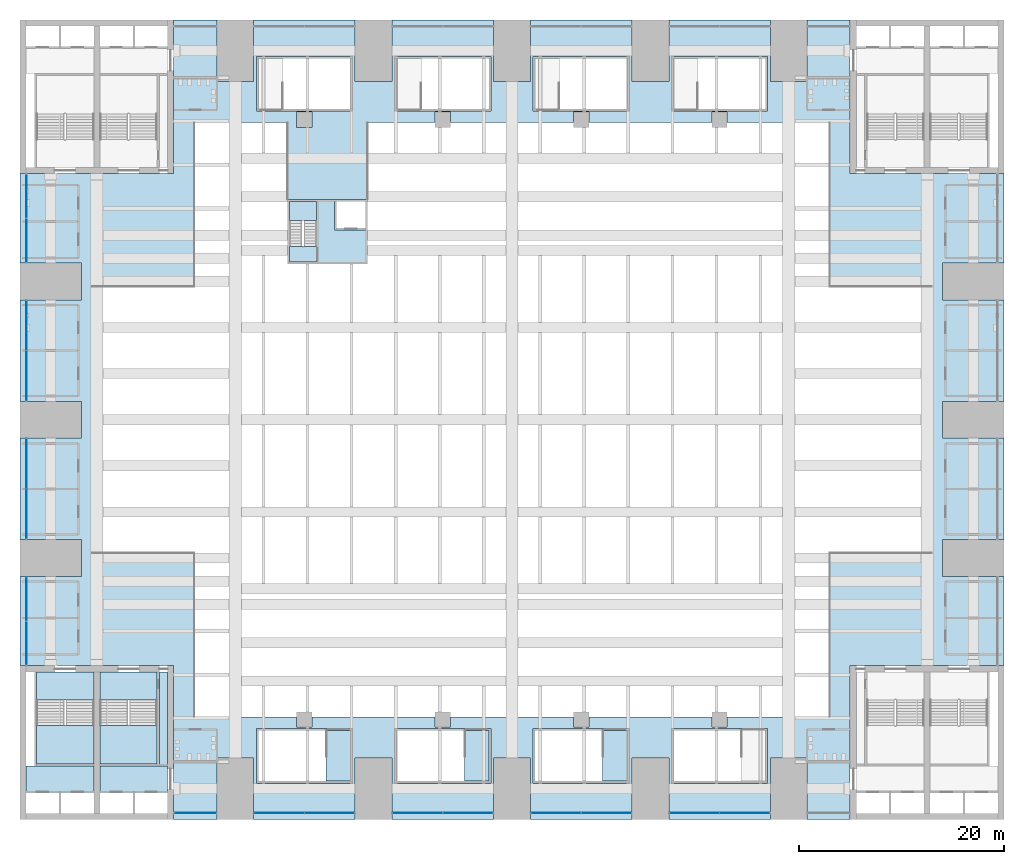
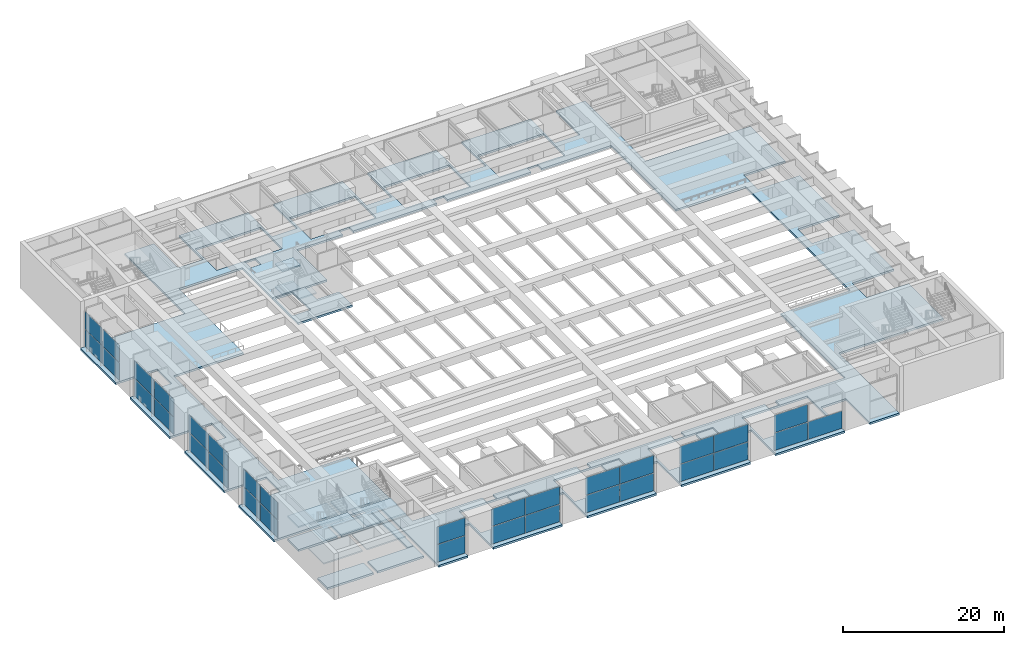
# One storey, part 22 of 45: 33 plates, 19 slabs, 12 elements without a shape of their own.
"""IFC4 building model written with IfcOpenShell, lengths in metres."""

from ifc_helpers import new_model, si_unit, direction, frame, origin, origin_2d, place, context, subcontext, project, spatial, polyline, rectangle, outline, extrude, material, layer, layer_set, type_object, element, aggregate, save


model = new_model("IFC4")

# Units and contexts
model_context = context("Model", 3, precision=1e-05, world=origin(), true_north=direction((0.0, 1.0)))
body_context = subcontext(model_context, "Body", "Model", "MODEL_VIEW")
ifc_project = project(units=[si_unit("LENGTHUNIT", "METRE"), si_unit("AREAUNIT", "SQUARE_METRE"), si_unit("VOLUMEUNIT", "CUBIC_METRE"), si_unit("PLANEANGLEUNIT", "RADIAN"), si_unit("MASSUNIT", "GRAM", prefix="KILO")], contexts=[model_context])

# Site, building, storey
site_placement = place(None, origin())
site = spatial("IfcSite", under=ifc_project, at=site_placement, CompositionType="ELEMENT")
building_placement = place(site_placement, origin())
building = spatial("IfcBuilding", under=site, at=building_placement, Name="Corbelhall Arena Tower", CompositionType="ELEMENT")
storey_placement = place(building_placement, frame((0.0, 0.0, 37.0)))
storey = spatial("IfcBuildingStorey", under=building, at=storey_placement, Name="L05", CompositionType="ELEMENT", Elevation=37.0)

# Stair, slabs
ifc_material_1 = material(Name="Reinforced concrete C40/50", Category="concrete")
stair_type_1 = type_object("IfcStairType", Name="AR-EXIT-STAIR", PredefinedType="HALF_TURN_STAIR", material=ifc_material_1)
stair_1_placement = place(storey_placement, origin())
stair_1 = element("IfcStair", 1, at=stair_1_placement, inside=storey, type_object=stair_type_1, Name="L05 exit stair AS7", PredefinedType="HALF_TURN_STAIR")
ifc_layer_1 = layer(ifc_material_1, 0.199951171875)
ifc_layer_set_1 = layer_set([ifc_layer_1], Name="AR-EXIT-LANDING")
slab_type_1 = type_object("IfcSlabType", Name="AR-EXIT-LANDING", PredefinedType="LANDING", material=ifc_layer_set_1)
slab_1_placement = place(storey_placement, frame((0.0, 0.0, 1.550048828125)))
slab_1 = element("IfcSlab", 2, at=slab_1_placement, type_object=slab_type_1, Name="AS7 landing 1", PredefinedType="LANDING", context=body_context, shape_type="SweptSolid", body=[
    extrude(outline(polyline([(-40.199951171875, -29.840087890625), (-40.199951171875, -33.60009765625), (-34.610107421875, -33.60009765625), (-34.610107421875, -29.840087890625), (-40.199951171875, -29.840087890625)])), origin(), (0.0, 0.0, 1.0), 0.199951171875),
])
slab_2_placement = place(storey_placement, frame((0.0, 0.0, 3.300048828125)))
slab_2 = element("IfcSlab", 3, at=slab_2_placement, type_object=slab_type_1, Name="AS7 landing 2", PredefinedType="LANDING", context=body_context, shape_type="SweptSolid", body=[
    extrude(outline(polyline([(-40.199951171875, -24.60009765625), (-40.199951171875, -27.320068359375), (-34.610107421875, -27.320068359375), (-34.610107421875, -24.60009765625), (-40.199951171875, -24.60009765625)])), origin(), (0.0, 0.0, 1.0), 0.199951171875),
])
slab_3_placement = place(storey_placement, frame((0.0, 0.0, 5.050048828125)))
slab_3 = element("IfcSlab", 4, at=slab_3_placement, type_object=slab_type_1, Name="AS7 landing 3", PredefinedType="LANDING", context=body_context, shape_type="SweptSolid", body=[
    extrude(outline(polyline([(-40.199951171875, -29.840087890625), (-40.199951171875, -33.60009765625), (-34.610107421875, -33.60009765625), (-34.610107421875, -29.840087890625), (-40.199951171875, -29.840087890625)])), origin(), (0.0, 0.0, 1.0), 0.199951171875),
])
aggregate(stair_1, [slab_1, slab_2, slab_3])

stair_2_placement = place(storey_placement, origin())
stair_2 = element("IfcStair", 5, at=stair_2_placement, inside=storey, type_object=stair_type_1, Name="L05 exit stair AS8", PredefinedType="HALF_TURN_STAIR")
slab_4_placement = place(storey_placement, frame((0.0, 0.0, 1.550048828125)))
slab_4 = element("IfcSlab", 6, at=slab_4_placement, type_object=slab_type_1, Name="AS8 landing 1", PredefinedType="LANDING", context=body_context, shape_type="SweptSolid", body=[
    extrude(outline(polyline([(-46.389892578125, -29.840087890625), (-46.389892578125, -33.60009765625), (-40.800048828125, -33.60009765625), (-40.800048828125, -29.840087890625), (-46.389892578125, -29.840087890625)])), origin(), (0.0, 0.0, 1.0), 0.199951171875),
])
slab_5_placement = place(storey_placement, frame((0.0, 0.0, 3.300048828125)))
slab_5 = element("IfcSlab", 7, at=slab_5_placement, type_object=slab_type_1, Name="AS8 landing 2", PredefinedType="LANDING", context=body_context, shape_type="SweptSolid", body=[
    extrude(outline(polyline([(-46.389892578125, -24.60009765625), (-46.389892578125, -27.320068359375), (-40.800048828125, -27.320068359375), (-40.800048828125, -24.60009765625), (-46.389892578125, -24.60009765625)])), origin(), (0.0, 0.0, 1.0), 0.199951171875),
])
slab_6_placement = place(storey_placement, frame((0.0, 0.0, 5.050048828125)))
slab_6 = element("IfcSlab", 8, at=slab_6_placement, type_object=slab_type_1, Name="AS8 landing 3", PredefinedType="LANDING", context=body_context, shape_type="SweptSolid", body=[
    extrude(outline(polyline([(-46.389892578125, -29.840087890625), (-46.389892578125, -33.60009765625), (-40.800048828125, -33.60009765625), (-40.800048828125, -29.840087890625), (-46.389892578125, -29.840087890625)])), origin(), (0.0, 0.0, 1.0), 0.199951171875),
])
aggregate(stair_2, [slab_4, slab_5, slab_6])

# Slabs
ifc_layer_2 = layer(ifc_material_1, 0.300048828125)
ifc_layer_set_2 = layer_set([ifc_layer_2], Name="AR-STAIR-FLOOR")
slab_type_2 = type_object("IfcSlabType", Name="AR-STAIR-FLOOR", PredefinedType="FLOOR", material=ifc_layer_set_2)
slab_7_placement = place(storey_placement, frame((0.0, 0.0, -0.300048828125)))
element("IfcSlab", 9, at=slab_7_placement, inside=storey, type_object=slab_type_2, Name="Stair AS13 floor", PredefinedType="FLOOR", context=body_context, shape_type="SweptSolid", body=[
    extrude(outline(polyline([(-15.75, -30.300048828125), (-15.75, -35.25), (-18.153076171875, -35.25), (-18.153076171875, -30.300048828125), (-15.75, -30.300048828125)])), origin(), (0.0, 0.0, 1.0), 0.300048828125),
])
slab_8_placement = place(storey_placement, frame((0.0, 0.0, -0.300048828125)))
element("IfcSlab", 10, at=slab_8_placement, inside=storey, type_object=slab_type_2, Name="Stair AS14 floor", PredefinedType="FLOOR", context=body_context, shape_type="SweptSolid", body=[
    extrude(outline(polyline([(-2.25, -30.300048828125), (-2.25, -35.25), (-4.653076171875, -35.25), (-4.653076171875, -30.300048828125), (-2.25, -30.300048828125)])), origin(), (0.0, 0.0, 1.0), 0.300048828125),
])
slab_9_placement = place(storey_placement, frame((0.0, 0.0, -0.300048828125)))
element("IfcSlab", 11, at=slab_9_placement, inside=storey, type_object=slab_type_2, Name="Stair AS15 floor", PredefinedType="FLOOR", context=body_context, shape_type="SweptSolid", body=[
    extrude(outline(polyline([(11.25, -30.300048828125), (11.25, -35.25), (8.846923828125, -35.25), (8.846923828125, -30.300048828125), (11.25, -30.300048828125)])), origin(), (0.0, 0.0, 1.0), 0.300048828125),
])
slab_10_placement = place(storey_placement, frame((0.0, 0.0, -0.300048828125)))
element("IfcSlab", 12, at=slab_10_placement, inside=storey, type_object=slab_type_2, Name="Stair AS7 floor", PredefinedType="FLOOR", context=body_context, shape_type="SweptSolid", body=[
    extrude(outline(polyline([(-40.199951171875, -24.60009765625), (-34.610107421875, -24.60009765625), (-34.610107421875, -27.322998046875), (-40.199951171875, -27.322998046875), (-40.199951171875, -24.60009765625)])), origin(), (0.0, 0.0, 1.0), 0.300048828125),
])
slab_11_placement = place(storey_placement, frame((0.0, 0.0, -0.300048828125)))
element("IfcSlab", 13, at=slab_11_placement, inside=storey, type_object=slab_type_2, Name="Stair AS8 floor", PredefinedType="FLOOR", context=body_context, shape_type="SweptSolid", body=[
    extrude(outline(polyline([(-46.389892578125, -24.60009765625), (-40.800048828125, -24.60009765625), (-40.800048828125, -27.322998046875), (-46.389892578125, -27.322998046875), (-46.389892578125, -24.60009765625)])), origin(), (0.0, 0.0, 1.0), 0.300048828125),
])
slab_12_placement = place(storey_placement, frame((0.0, 0.0, -0.300048828125)))
element("IfcSlab", 14, at=slab_12_placement, inside=storey, type_object=slab_type_2, Name="Lift lobby floor SW", PredefinedType="FLOOR", context=body_context, shape_type="SweptSolid", body=[
    extrude(outline(polyline([(-40.800048828125, -36.300048828125), (-40.800048828125, -33.800048828125), (-47.39990234375, -33.800048828125), (-47.39990234375, -36.300048828125), (-40.800048828125, -36.300048828125)])), origin(), (0.0, 0.0, 1.0), 0.300048828125),
])
slab_13_placement = place(storey_placement, frame((0.0, 0.0, -0.300048828125)))
element("IfcSlab", 15, at=slab_13_placement, inside=storey, type_object=slab_type_2, Name="Lift lobby floor SW", PredefinedType="FLOOR", context=body_context, shape_type="SweptSolid", body=[
    extrude(outline(polyline([(-33.60009765625, -36.300048828125), (-33.60009765625, -33.800048828125), (-40.199951171875, -33.800048828125), (-40.199951171875, -36.300048828125), (-33.60009765625, -36.300048828125)])), origin(), (0.0, 0.0, 1.0), 0.300048828125),
])
slab_14_placement = place(storey_placement, frame((0.0, 0.0, -0.300048828125)))
element("IfcSlab", 16, at=slab_14_placement, inside=storey, type_object=slab_type_2, Name="Electrical plant room 04 floor", PredefinedType="FLOOR", context=body_context, shape_type="SweptSolid", body=[
    extrude(outline(polyline([(-33.60009765625, -33.699951171875), (-33.60009765625, -24.60009765625), (-34.409912109375, -24.60009765625), (-34.409912109375, -33.699951171875), (-33.60009765625, -33.699951171875)])), origin(), (0.0, 0.0, 1.0), 0.300048828125),
])

# Curtain wall, plates
ifc_material_2 = material(Name="Aluminium black anodised", Category="aluminium")
ifc_layer_3 = layer(ifc_material_2, 0.239990234375)
ifc_layer_set_3 = layer_set([ifc_layer_3], Name="EV-CW4 Arena concourse glazing")
curtain_wall_type = type_object("IfcCurtainWallType", Name="EV-CW4 Arena concourse glazing", PredefinedType="NOTDEFINED", material=ifc_layer_set_3)
curtain_wall_1_placement = place(storey_placement, origin())
curtain_wall_1 = element("IfcCurtainWall", 17, at=curtain_wall_1_placement, inside=storey, type_object=curtain_wall_type, Name="Curtain wall CW4A", PredefinedType="NOTDEFINED")
ifc_material_3 = material(Name="Glass dark tinted laminated", Category="glass")
ifc_layer_4 = layer(ifc_material_3, 0.028076171875)
ifc_layer_set_4 = layer_set([ifc_layer_4], Name="EV-CW4-PANEL")
plate_type = type_object("IfcPlateType", Name="EV-CW4-PANEL", PredefinedType="CURTAIN_PANEL", material=ifc_layer_set_4)
plate_1_placement = place(storey_placement, frame((-30.89990234375, -38.3798828125, 0.0751953125), z_axis=(0.0, 0.0, 1.0), x_axis=(1.0, 0.0, 0.0)))
plate_1 = element("IfcPlate", 18, at=plate_1_placement, type_object=plate_type, Name="CW4A panel 1.1", PredefinedType="CURTAIN_PANEL", context=body_context, shape_type="SweptSolid", body=[
    extrude(rectangle(XDim=4.050048828125, YDim=0.028076171875, at=origin_2d()), origin(), (0.0, 0.0, 1.0), 2.637451171875),
])
plate_2_placement = place(storey_placement, frame((-30.89990234375, -38.3798828125, 2.78759765625), z_axis=(0.0, 0.0, 1.0), x_axis=(1.0, 0.0, 0.0)))
plate_2 = element("IfcPlate", 19, at=plate_2_placement, type_object=plate_type, Name="CW4A panel 1.2", PredefinedType="CURTAIN_PANEL", context=body_context, shape_type="SweptSolid", body=[
    extrude(rectangle(XDim=4.050048828125, YDim=0.028076171875, at=origin_2d()), origin(), (0.0, 0.0, 1.0), 2.637451171875),
])
aggregate(curtain_wall_1, [plate_1, plate_2])

curtain_wall_2_placement = place(storey_placement, origin())
curtain_wall_2 = element("IfcCurtainWall", 20, at=curtain_wall_2_placement, inside=storey, type_object=curtain_wall_type, Name="Curtain wall CW4", PredefinedType="NOTDEFINED")
plate_3_placement = place(storey_placement, frame((-22.706298828125, -38.3798828125, 0.0751953125), z_axis=(0.0, 0.0, 1.0), x_axis=(1.0, 0.0, 0.0)))
plate_3 = element("IfcPlate", 21, at=plate_3_placement, type_object=plate_type, Name="CW4 panel 1.1", PredefinedType="CURTAIN_PANEL", context=body_context, shape_type="SweptSolid", body=[
    extrude(rectangle(XDim=4.83740234375, YDim=0.028076171875, at=origin_2d()), origin(), (0.0, 0.0, 1.0), 2.637451171875),
])
plate_4_placement = place(storey_placement, frame((-22.706298828125, -38.3798828125, 2.78759765625), z_axis=(0.0, 0.0, 1.0), x_axis=(1.0, 0.0, 0.0)))
plate_4 = element("IfcPlate", 22, at=plate_4_placement, type_object=plate_type, Name="CW4 panel 1.2", PredefinedType="CURTAIN_PANEL", context=body_context, shape_type="SweptSolid", body=[
    extrude(rectangle(XDim=4.83740234375, YDim=0.028076171875, at=origin_2d()), origin(), (0.0, 0.0, 1.0), 2.637451171875),
])
plate_5_placement = place(storey_placement, frame((-17.793701171875, -38.3798828125, 0.0751953125), z_axis=(0.0, 0.0, 1.0), x_axis=(1.0, 0.0, 0.0)))
plate_5 = element("IfcPlate", 23, at=plate_5_placement, type_object=plate_type, Name="CW4 panel 2.1", PredefinedType="CURTAIN_PANEL", context=body_context, shape_type="SweptSolid", body=[
    extrude(rectangle(XDim=4.83740234375, YDim=0.028076171875, at=origin_2d()), origin(), (0.0, 0.0, 1.0), 2.637451171875),
])
plate_6_placement = place(storey_placement, frame((-17.793701171875, -38.3798828125, 2.78759765625), z_axis=(0.0, 0.0, 1.0), x_axis=(1.0, 0.0, 0.0)))
plate_6 = element("IfcPlate", 24, at=plate_6_placement, type_object=plate_type, Name="CW4 panel 2.2", PredefinedType="CURTAIN_PANEL", context=body_context, shape_type="SweptSolid", body=[
    extrude(rectangle(XDim=4.83740234375, YDim=0.028076171875, at=origin_2d()), origin(), (0.0, 0.0, 1.0), 2.637451171875),
])
aggregate(curtain_wall_2, [plate_3, plate_4, plate_5, plate_6])

curtain_wall_3_placement = place(storey_placement, origin())
curtain_wall_3 = element("IfcCurtainWall", 25, at=curtain_wall_3_placement, inside=storey, type_object=curtain_wall_type, Name="Curtain wall CW4", PredefinedType="NOTDEFINED")
plate_7_placement = place(storey_placement, frame((-9.206298828125, -38.3798828125, 0.0751953125), z_axis=(0.0, 0.0, 1.0), x_axis=(1.0, 0.0, 0.0)))
plate_7 = element("IfcPlate", 26, at=plate_7_placement, type_object=plate_type, Name="CW4 panel 1.1", PredefinedType="CURTAIN_PANEL", context=body_context, shape_type="SweptSolid", body=[
    extrude(rectangle(XDim=4.83740234375, YDim=0.028076171875, at=origin_2d()), origin(), (0.0, 0.0, 1.0), 2.637451171875),
])
plate_8_placement = place(storey_placement, frame((-9.206298828125, -38.3798828125, 2.78759765625), z_axis=(0.0, 0.0, 1.0), x_axis=(1.0, 0.0, 0.0)))
plate_8 = element("IfcPlate", 27, at=plate_8_placement, type_object=plate_type, Name="CW4 panel 1.2", PredefinedType="CURTAIN_PANEL", context=body_context, shape_type="SweptSolid", body=[
    extrude(rectangle(XDim=4.83740234375, YDim=0.028076171875, at=origin_2d()), origin(), (0.0, 0.0, 1.0), 2.637451171875),
])
plate_9_placement = place(storey_placement, frame((-4.293701171875, -38.3798828125, 0.0751953125), z_axis=(0.0, 0.0, 1.0), x_axis=(1.0, 0.0, 0.0)))
plate_9 = element("IfcPlate", 28, at=plate_9_placement, type_object=plate_type, Name="CW4 panel 2.1", PredefinedType="CURTAIN_PANEL", context=body_context, shape_type="SweptSolid", body=[
    extrude(rectangle(XDim=4.83740234375, YDim=0.028076171875, at=origin_2d()), origin(), (0.0, 0.0, 1.0), 2.637451171875),
])
plate_10_placement = place(storey_placement, frame((-4.293701171875, -38.3798828125, 2.78759765625), z_axis=(0.0, 0.0, 1.0), x_axis=(1.0, 0.0, 0.0)))
plate_10 = element("IfcPlate", 29, at=plate_10_placement, type_object=plate_type, Name="CW4 panel 2.2", PredefinedType="CURTAIN_PANEL", context=body_context, shape_type="SweptSolid", body=[
    extrude(rectangle(XDim=4.83740234375, YDim=0.028076171875, at=origin_2d()), origin(), (0.0, 0.0, 1.0), 2.637451171875),
])
aggregate(curtain_wall_3, [plate_7, plate_8, plate_9, plate_10])

curtain_wall_4_placement = place(storey_placement, origin())
curtain_wall_4 = element("IfcCurtainWall", 30, at=curtain_wall_4_placement, inside=storey, type_object=curtain_wall_type, Name="Curtain wall CW4", PredefinedType="NOTDEFINED")
plate_11_placement = place(storey_placement, frame((4.293701171875, -38.3798828125, 0.0751953125), z_axis=(0.0, 0.0, 1.0), x_axis=(1.0, 0.0, 0.0)))
plate_11 = element("IfcPlate", 31, at=plate_11_placement, type_object=plate_type, Name="CW4 panel 1.1", PredefinedType="CURTAIN_PANEL", context=body_context, shape_type="SweptSolid", body=[
    extrude(rectangle(XDim=4.83740234375, YDim=0.028076171875, at=origin_2d()), origin(), (0.0, 0.0, 1.0), 2.637451171875),
])
plate_12_placement = place(storey_placement, frame((4.293701171875, -38.3798828125, 2.78759765625), z_axis=(0.0, 0.0, 1.0), x_axis=(1.0, 0.0, 0.0)))
plate_12 = element("IfcPlate", 32, at=plate_12_placement, type_object=plate_type, Name="CW4 panel 1.2", PredefinedType="CURTAIN_PANEL", context=body_context, shape_type="SweptSolid", body=[
    extrude(rectangle(XDim=4.83740234375, YDim=0.028076171875, at=origin_2d()), origin(), (0.0, 0.0, 1.0), 2.637451171875),
])
plate_13_placement = place(storey_placement, frame((9.206298828125, -38.3798828125, 0.0751953125), z_axis=(0.0, 0.0, 1.0), x_axis=(1.0, 0.0, 0.0)))
plate_13 = element("IfcPlate", 33, at=plate_13_placement, type_object=plate_type, Name="CW4 panel 2.1", PredefinedType="CURTAIN_PANEL", context=body_context, shape_type="SweptSolid", body=[
    extrude(rectangle(XDim=4.83740234375, YDim=0.028076171875, at=origin_2d()), origin(), (0.0, 0.0, 1.0), 2.637451171875),
])
plate_14_placement = place(storey_placement, frame((9.206298828125, -38.3798828125, 2.78759765625), z_axis=(0.0, 0.0, 1.0), x_axis=(1.0, 0.0, 0.0)))
plate_14 = element("IfcPlate", 34, at=plate_14_placement, type_object=plate_type, Name="CW4 panel 2.2", PredefinedType="CURTAIN_PANEL", context=body_context, shape_type="SweptSolid", body=[
    extrude(rectangle(XDim=4.83740234375, YDim=0.028076171875, at=origin_2d()), origin(), (0.0, 0.0, 1.0), 2.637451171875),
])
aggregate(curtain_wall_4, [plate_11, plate_12, plate_13, plate_14])

curtain_wall_5_placement = place(storey_placement, origin())
curtain_wall_5 = element("IfcCurtainWall", 35, at=curtain_wall_5_placement, inside=storey, type_object=curtain_wall_type, Name="Curtain wall CW4", PredefinedType="NOTDEFINED")
plate_15_placement = place(storey_placement, frame((17.793701171875, -38.3798828125, 0.0751953125), z_axis=(0.0, 0.0, 1.0), x_axis=(1.0, 0.0, 0.0)))
plate_15 = element("IfcPlate", 36, at=plate_15_placement, type_object=plate_type, Name="CW4 panel 1.1", PredefinedType="CURTAIN_PANEL", context=body_context, shape_type="SweptSolid", body=[
    extrude(rectangle(XDim=4.83740234375, YDim=0.028076171875, at=origin_2d()), origin(), (0.0, 0.0, 1.0), 2.637451171875),
])
plate_16_placement = place(storey_placement, frame((17.793701171875, -38.3798828125, 2.78759765625), z_axis=(0.0, 0.0, 1.0), x_axis=(1.0, 0.0, 0.0)))
plate_16 = element("IfcPlate", 37, at=plate_16_placement, type_object=plate_type, Name="CW4 panel 1.2", PredefinedType="CURTAIN_PANEL", context=body_context, shape_type="SweptSolid", body=[
    extrude(rectangle(XDim=4.83740234375, YDim=0.028076171875, at=origin_2d()), origin(), (0.0, 0.0, 1.0), 2.637451171875),
])
plate_17_placement = place(storey_placement, frame((22.706298828125, -38.3798828125, 0.0751953125), z_axis=(0.0, 0.0, 1.0), x_axis=(1.0, 0.0, 0.0)))
plate_17 = element("IfcPlate", 38, at=plate_17_placement, type_object=plate_type, Name="CW4 panel 2.1", PredefinedType="CURTAIN_PANEL", context=body_context, shape_type="SweptSolid", body=[
    extrude(rectangle(XDim=4.83740234375, YDim=0.028076171875, at=origin_2d()), origin(), (0.0, 0.0, 1.0), 2.637451171875),
])
aggregate(curtain_wall_5, [plate_15, plate_16, plate_17])

curtain_wall_6_placement = place(storey_placement, origin())
curtain_wall_6 = element("IfcCurtainWall", 39, at=curtain_wall_6_placement, inside=storey, type_object=curtain_wall_type, Name="Curtain wall CW4B", PredefinedType="NOTDEFINED")
plate_18_placement = place(storey_placement, frame((-47.3798828125, 21.80615234375, 0.0751953125), z_axis=(0.0, 0.0, 1.0), x_axis=(0.0, -1.0, 0.0)))
plate_18 = element("IfcPlate", 40, at=plate_18_placement, type_object=plate_type, Name="CW4B panel 1.1", PredefinedType="CURTAIN_PANEL", context=body_context, shape_type="SweptSolid", body=[
    extrude(rectangle(XDim=4.237548828125, YDim=0.028076171875, at=origin_2d()), origin(), (0.0, 0.0, 1.0), 2.637451171875),
])
plate_19_placement = place(storey_placement, frame((-47.3798828125, 21.80615234375, 2.78759765625), z_axis=(0.0, 0.0, 1.0), x_axis=(0.0, -1.0, 0.0)))
plate_19 = element("IfcPlate", 41, at=plate_19_placement, type_object=plate_type, Name="CW4B panel 1.2", PredefinedType="CURTAIN_PANEL", context=body_context, shape_type="SweptSolid", body=[
    extrude(rectangle(XDim=4.237548828125, YDim=0.028076171875, at=origin_2d()), origin(), (0.0, 0.0, 1.0), 2.637451171875),
])
plate_20_placement = place(storey_placement, frame((-47.3798828125, 17.49365234375, 0.0751953125), z_axis=(0.0, 0.0, 1.0), x_axis=(0.0, -1.0, 0.0)))
plate_20 = element("IfcPlate", 42, at=plate_20_placement, type_object=plate_type, Name="CW4B panel 2.1", PredefinedType="CURTAIN_PANEL", context=body_context, shape_type="SweptSolid", body=[
    extrude(rectangle(XDim=4.237548828125, YDim=0.028076171875, at=origin_2d()), origin(), (0.0, 0.0, 1.0), 2.637451171875),
])
plate_21_placement = place(storey_placement, frame((-47.3798828125, 17.49365234375, 2.78759765625), z_axis=(0.0, 0.0, 1.0), x_axis=(0.0, -1.0, 0.0)))
plate_21 = element("IfcPlate", 43, at=plate_21_placement, type_object=plate_type, Name="CW4B panel 2.2", PredefinedType="CURTAIN_PANEL", context=body_context, shape_type="SweptSolid", body=[
    extrude(rectangle(XDim=4.237548828125, YDim=0.028076171875, at=origin_2d()), origin(), (0.0, 0.0, 1.0), 2.637451171875),
])
aggregate(curtain_wall_6, [plate_18, plate_19, plate_20, plate_21])

curtain_wall_7_placement = place(storey_placement, origin())
curtain_wall_7 = element("IfcCurtainWall", 44, at=curtain_wall_7_placement, inside=storey, type_object=curtain_wall_type, Name="Curtain wall CW4", PredefinedType="NOTDEFINED")
plate_22_placement = place(storey_placement, frame((-47.3798828125, 9.206298828125, 0.0751953125), z_axis=(0.0, 0.0, 1.0), x_axis=(0.0, -1.0, 0.0)))
plate_22 = element("IfcPlate", 45, at=plate_22_placement, type_object=plate_type, Name="CW4 panel 1.1", PredefinedType="CURTAIN_PANEL", context=body_context, shape_type="SweptSolid", body=[
    extrude(rectangle(XDim=4.83740234375, YDim=0.028076171875, at=origin_2d()), origin(), (0.0, 0.0, 1.0), 2.637451171875),
])
plate_23_placement = place(storey_placement, frame((-47.3798828125, 9.206298828125, 2.78759765625), z_axis=(0.0, 0.0, 1.0), x_axis=(0.0, -1.0, 0.0)))
plate_23 = element("IfcPlate", 46, at=plate_23_placement, type_object=plate_type, Name="CW4 panel 1.2", PredefinedType="CURTAIN_PANEL", context=body_context, shape_type="SweptSolid", body=[
    extrude(rectangle(XDim=4.83740234375, YDim=0.028076171875, at=origin_2d()), origin(), (0.0, 0.0, 1.0), 2.637451171875),
])
plate_24_placement = place(storey_placement, frame((-47.3798828125, 4.293701171875, 0.0751953125), z_axis=(0.0, 0.0, 1.0), x_axis=(0.0, -1.0, 0.0)))
plate_24 = element("IfcPlate", 47, at=plate_24_placement, type_object=plate_type, Name="CW4 panel 2.1", PredefinedType="CURTAIN_PANEL", context=body_context, shape_type="SweptSolid", body=[
    extrude(rectangle(XDim=4.83740234375, YDim=0.028076171875, at=origin_2d()), origin(), (0.0, 0.0, 1.0), 2.637451171875),
])
plate_25_placement = place(storey_placement, frame((-47.3798828125, 4.293701171875, 2.78759765625), z_axis=(0.0, 0.0, 1.0), x_axis=(0.0, -1.0, 0.0)))
plate_25 = element("IfcPlate", 48, at=plate_25_placement, type_object=plate_type, Name="CW4 panel 2.2", PredefinedType="CURTAIN_PANEL", context=body_context, shape_type="SweptSolid", body=[
    extrude(rectangle(XDim=4.83740234375, YDim=0.028076171875, at=origin_2d()), origin(), (0.0, 0.0, 1.0), 2.637451171875),
])
aggregate(curtain_wall_7, [plate_22, plate_23, plate_24, plate_25])

curtain_wall_8_placement = place(storey_placement, origin())
curtain_wall_8 = element("IfcCurtainWall", 49, at=curtain_wall_8_placement, inside=storey, type_object=curtain_wall_type, Name="Curtain wall CW4", PredefinedType="NOTDEFINED")
plate_26_placement = place(storey_placement, frame((-47.3798828125, -4.293701171875, 0.0751953125), z_axis=(0.0, 0.0, 1.0), x_axis=(0.0, -1.0, 0.0)))
plate_26 = element("IfcPlate", 50, at=plate_26_placement, type_object=plate_type, Name="CW4 panel 1.1", PredefinedType="CURTAIN_PANEL", context=body_context, shape_type="SweptSolid", body=[
    extrude(rectangle(XDim=4.83740234375, YDim=0.028076171875, at=origin_2d()), origin(), (0.0, 0.0, 1.0), 2.637451171875),
])
plate_27_placement = place(storey_placement, frame((-47.3798828125, -4.293701171875, 2.78759765625), z_axis=(0.0, 0.0, 1.0), x_axis=(0.0, -1.0, 0.0)))
plate_27 = element("IfcPlate", 51, at=plate_27_placement, type_object=plate_type, Name="CW4 panel 1.2", PredefinedType="CURTAIN_PANEL", context=body_context, shape_type="SweptSolid", body=[
    extrude(rectangle(XDim=4.83740234375, YDim=0.028076171875, at=origin_2d()), origin(), (0.0, 0.0, 1.0), 2.637451171875),
])
plate_28_placement = place(storey_placement, frame((-47.3798828125, -9.206298828125, 0.0751953125), z_axis=(0.0, 0.0, 1.0), x_axis=(0.0, -1.0, 0.0)))
plate_28 = element("IfcPlate", 52, at=plate_28_placement, type_object=plate_type, Name="CW4 panel 2.1", PredefinedType="CURTAIN_PANEL", context=body_context, shape_type="SweptSolid", body=[
    extrude(rectangle(XDim=4.83740234375, YDim=0.028076171875, at=origin_2d()), origin(), (0.0, 0.0, 1.0), 2.637451171875),
])
plate_29_placement = place(storey_placement, frame((-47.3798828125, -9.206298828125, 2.78759765625), z_axis=(0.0, 0.0, 1.0), x_axis=(0.0, -1.0, 0.0)))
plate_29 = element("IfcPlate", 53, at=plate_29_placement, type_object=plate_type, Name="CW4 panel 2.2", PredefinedType="CURTAIN_PANEL", context=body_context, shape_type="SweptSolid", body=[
    extrude(rectangle(XDim=4.83740234375, YDim=0.028076171875, at=origin_2d()), origin(), (0.0, 0.0, 1.0), 2.637451171875),
])
aggregate(curtain_wall_8, [plate_26, plate_27, plate_28, plate_29])

curtain_wall_9_placement = place(storey_placement, origin())
curtain_wall_9 = element("IfcCurtainWall", 54, at=curtain_wall_9_placement, inside=storey, type_object=curtain_wall_type, Name="Curtain wall CW4B", PredefinedType="NOTDEFINED")
plate_30_placement = place(storey_placement, frame((-47.3798828125, -17.49365234375, 0.0751953125), z_axis=(0.0, 0.0, 1.0), x_axis=(0.0, -1.0, 0.0)))
plate_30 = element("IfcPlate", 55, at=plate_30_placement, type_object=plate_type, Name="CW4B panel 1.1", PredefinedType="CURTAIN_PANEL", context=body_context, shape_type="SweptSolid", body=[
    extrude(rectangle(XDim=4.237548828125, YDim=0.028076171875, at=origin_2d()), origin(), (0.0, 0.0, 1.0), 2.637451171875),
])
plate_31_placement = place(storey_placement, frame((-47.3798828125, -17.49365234375, 2.78759765625), z_axis=(0.0, 0.0, 1.0), x_axis=(0.0, -1.0, 0.0)))
plate_31 = element("IfcPlate", 56, at=plate_31_placement, type_object=plate_type, Name="CW4B panel 1.2", PredefinedType="CURTAIN_PANEL", context=body_context, shape_type="SweptSolid", body=[
    extrude(rectangle(XDim=4.237548828125, YDim=0.028076171875, at=origin_2d()), origin(), (0.0, 0.0, 1.0), 2.637451171875),
])
plate_32_placement = place(storey_placement, frame((-47.3798828125, -21.80615234375, 0.0751953125), z_axis=(0.0, 0.0, 1.0), x_axis=(0.0, -1.0, 0.0)))
plate_32 = element("IfcPlate", 57, at=plate_32_placement, type_object=plate_type, Name="CW4B panel 2.1", PredefinedType="CURTAIN_PANEL", context=body_context, shape_type="SweptSolid", body=[
    extrude(rectangle(XDim=4.237548828125, YDim=0.028076171875, at=origin_2d()), origin(), (0.0, 0.0, 1.0), 2.637451171875),
])
plate_33_placement = place(storey_placement, frame((-47.3798828125, -21.80615234375, 2.78759765625), z_axis=(0.0, 0.0, 1.0), x_axis=(0.0, -1.0, 0.0)))
plate_33 = element("IfcPlate", 58, at=plate_33_placement, type_object=plate_type, Name="CW4B panel 2.2", PredefinedType="CURTAIN_PANEL", context=body_context, shape_type="SweptSolid", body=[
    extrude(rectangle(XDim=4.237548828125, YDim=0.028076171875, at=origin_2d()), origin(), (0.0, 0.0, 1.0), 2.637451171875),
])
aggregate(curtain_wall_9, [plate_30, plate_31, plate_32, plate_33])

# Slab
ifc_material_4 = material(Name="Concrete C40/50", Category="concrete")
ifc_layer_5 = layer(ifc_material_4, 0.300048828125)
ifc_layer_set_5 = layer_set([ifc_layer_5], Name="IN-SL-EAR")
slab_type_3 = type_object("IfcSlabType", Name="IN-SL-EAR", PredefinedType="FLOOR", material=ifc_layer_set_5)
slab_15_placement = place(storey_placement, frame((0.0, 0.0, -0.300048828125)))
element("IfcSlab", 59, at=slab_15_placement, inside=storey, type_object=slab_type_3, Name="Fire service turret floor", PredefinedType="FLOOR", context=body_context, shape_type="SweptSolid", body=[
    extrude(outline(polyline([(-21.89990234375, 15.199951171875), (-14.10009765625, 15.199951171875), (-14.10009765625, 18.5), (-17.300048828125, 18.5), (-17.300048828125, 21.5), (-21.89990234375, 21.5), (-21.89990234375, 15.199951171875)]), holes=[polyline([(-19.094970703125, 21.300048828125), (-21.695068359375, 21.300048828125), (-21.695068359375, 16.903076171875), (-19.094970703125, 16.903076171875), (-19.094970703125, 21.300048828125)])]), origin(), (0.0, 0.0, 1.0), 0.300048828125),
])

# Stair, slabs
stair_type_2 = type_object("IfcStairType", Name="IN-ST-TOWER", PredefinedType="HALF_TURN_STAIR", material=ifc_material_4)
stair_3_placement = place(storey_placement, origin())
stair_3 = element("IfcStair", 60, at=stair_3_placement, inside=storey, type_object=stair_type_2, Name="L05 Exit stair AS17", PredefinedType="HALF_TURN_STAIR")
ifc_layer_6 = layer(ifc_material_4, 0.199951171875)
ifc_layer_set_6 = layer_set([ifc_layer_6], Name="IN-SL-LANDING")
slab_type_4 = type_object("IfcSlabType", Name="IN-SL-LANDING", PredefinedType="LANDING", material=ifc_layer_set_6)
slab_16_placement = place(storey_placement, frame((0.0, 0.0, 1.550048828125)))
slab_16 = element("IfcSlab", 61, at=slab_16_placement, type_object=slab_type_4, Name="AS17 landing 1", PredefinedType="LANDING", context=body_context, shape_type="SweptSolid", body=[
    extrude(outline(polyline([(-19.094970703125, 19.419921875), (-19.094970703125, 21.300048828125), (-21.695068359375, 21.300048828125), (-21.695068359375, 19.419921875), (-19.094970703125, 19.419921875)])), origin(), (0.0, 0.0, 1.0), 0.199951171875),
])
slab_17_placement = place(storey_placement, frame((0.0, 0.0, 3.300048828125)))
slab_17 = element("IfcSlab", 62, at=slab_17_placement, type_object=slab_type_4, Name="AS17 landing 2", PredefinedType="LANDING", context=body_context, shape_type="SweptSolid", body=[
    extrude(outline(polyline([(-19.094970703125, 15.39990234375), (-19.094970703125, 16.89990234375), (-21.695068359375, 16.89990234375), (-21.695068359375, 15.39990234375), (-19.094970703125, 15.39990234375)])), origin(), (0.0, 0.0, 1.0), 0.199951171875),
])
slab_18_placement = place(storey_placement, frame((0.0, 0.0, 5.050048828125)))
slab_18 = element("IfcSlab", 63, at=slab_18_placement, type_object=slab_type_4, Name="AS17 landing 3", PredefinedType="LANDING", context=body_context, shape_type="SweptSolid", body=[
    extrude(outline(polyline([(-19.094970703125, 19.419921875), (-19.094970703125, 21.300048828125), (-21.695068359375, 21.300048828125), (-21.695068359375, 19.419921875), (-19.094970703125, 19.419921875)])), origin(), (0.0, 0.0, 1.0), 0.199951171875),
])
aggregate(stair_3, [slab_16, slab_17, slab_18])

# Slab
ifc_material_5 = material(Name="Concrete C32/40", Category="concrete")
ifc_layer_7 = layer(ifc_material_5, 0.300048828125)
ifc_layer_set_7 = layer_set([ifc_layer_7], Name="PO-FLOOR-SLAB")
slab_type_5 = type_object("IfcSlabType", Name="PO-FLOOR-SLAB", PredefinedType="FLOOR", material=ifc_layer_set_7)
slab_19_placement = place(storey_placement, frame((0.0, 0.0, -0.300048828125)))
element("IfcSlab", 64, at=slab_19_placement, inside=storey, type_object=slab_type_5, Name="FLOOR SLAB L05 1", PredefinedType="FLOOR", context=body_context, shape_type="SweptSolid", body=[
    extrude(outline(polyline([(48.0, -24.0), (33.0, -24.0), (33.0, -39.0), (28.800048828125, -39.0), (28.800048828125, -33.0), (25.199951171875, -33.0), (25.199951171875, -39.0), (15.300048828125, -39.0), (15.300048828125, -33.0), (11.699951171875, -33.0), (11.699951171875, -39.0), (1.800048828125, -39.0), (1.800048828125, -33.0), (-1.800048828125, -33.0), (-1.800048828125, -39.0), (-11.699951171875, -39.0), (-11.699951171875, -33.0), (-15.300048828125, -33.0), (-15.300048828125, -39.0), (-25.199951171875, -39.0), (-25.199951171875, -33.0), (-28.800048828125, -33.0), (-28.800048828125, -39.0), (-33.0, -39.0), (-33.0, -24.0), (-48.0, -24.0), (-48.0, -15.300048828125), (-42.0, -15.300048828125), (-42.0, -11.699951171875), (-48.0, -11.699951171875), (-48.0, -1.800048828125), (-42.0, -1.800048828125), (-42.0, 1.800048828125), (-48.0, 1.800048828125), (-48.0, 11.699951171875), (-42.0, 11.699951171875), (-42.0, 15.300048828125), (-48.0, 15.300048828125), (-48.0, 24.0), (-33.0, 24.0), (-33.0, 39.0), (-28.800048828125, 39.0), (-28.800048828125, 33.0), (-25.199951171875, 33.0), (-25.199951171875, 39.0), (-15.300048828125, 39.0), (-15.300048828125, 33.0), (-11.699951171875, 33.0), (-11.699951171875, 39.0), (-1.800048828125, 39.0), (-1.800048828125, 33.0), (1.800048828125, 33.0), (1.800048828125, 39.0), (11.699951171875, 39.0), (11.699951171875, 33.0), (15.300048828125, 33.0), (15.300048828125, 39.0), (25.199951171875, 39.0), (25.199951171875, 33.0), (28.800048828125, 33.0), (28.800048828125, 39.0), (33.0, 39.0), (33.0, 24.0), (48.0, 24.0), (48.0, 15.300048828125), (42.0, 15.300048828125), (42.0, 11.699951171875), (48.0, 11.699951171875), (48.0, 1.800048828125), (42.0, 1.800048828125), (42.0, -1.800048828125), (48.0, -1.800048828125), (48.0, -11.699951171875), (42.0, -11.699951171875), (42.0, -15.300048828125), (48.0, -15.300048828125), (48.0, -24.0)]), holes=[polyline([(-24.949951171875, -35.449951171875), (-15.550048828125, -35.449951171875), (-15.550048828125, -30.10009765625), (-24.949951171875, -30.10009765625), (-24.949951171875, -35.449951171875)]), polyline([(-11.449951171875, -35.449951171875), (-2.050048828125, -35.449951171875), (-2.050048828125, -30.10009765625), (-11.449951171875, -30.10009765625), (-11.449951171875, -35.449951171875)]), polyline([(-19.5, -30.0), (-19.5, -29.0), (-7.5, -29.0), (-7.5, -30.0), (-6.0, -30.0), (-6.0, -29.0), (6.0, -29.0), (6.0, -30.0), (7.5, -30.0), (7.5, -29.0), (19.5, -29.0), (19.5, -30.0), (21.0, -30.0), (21.0, -29.0), (31.0, -29.0), (31.0, -13.0), (41.0, -13.0), (41.0, 13.0), (31.0, 13.0), (31.0, 29.0), (21.0, 29.0), (21.0, 30.0), (19.5, 30.0), (19.5, 29.0), (7.5, 29.0), (7.5, 30.0), (6.0, 30.0), (6.0, 29.0), (-6.0, 29.0), (-6.0, 30.0), (-7.5, 30.0), (-7.5, 29.0), (-14.10009765625, 29.0), (-14.10009765625, 21.5), (-21.89990234375, 21.5), (-21.89990234375, 29.0), (-31.0, 29.0), (-31.0, 13.0), (-41.0, 13.0), (-41.0, -13.0), (-31.0, -13.0), (-31.0, -29.0), (-21.0, -29.0), (-21.0, -30.0), (-19.5, -30.0)]), polyline([(-19.5, 28.5), (-19.5, 30.0), (-21.0, 30.0), (-21.0, 28.5), (-19.5, 28.5)]), polyline([(-24.949951171875, 30.10009765625), (-15.550048828125, 30.10009765625), (-15.550048828125, 35.449951171875), (-24.949951171875, 35.449951171875), (-24.949951171875, 30.10009765625)]), polyline([(-11.449951171875, 30.10009765625), (-2.050048828125, 30.10009765625), (-2.050048828125, 35.449951171875), (-11.449951171875, 35.449951171875), (-11.449951171875, 30.10009765625)]), polyline([(2.050048828125, -35.449951171875), (11.449951171875, -35.449951171875), (11.449951171875, -30.10009765625), (2.050048828125, -30.10009765625), (2.050048828125, -35.449951171875)]), polyline([(15.550048828125, -35.449951171875), (24.949951171875, -35.449951171875), (24.949951171875, -30.10009765625), (15.550048828125, -30.10009765625), (15.550048828125, -35.449951171875)]), polyline([(15.550048828125, 30.10009765625), (24.949951171875, 30.10009765625), (24.949951171875, 35.449951171875), (15.550048828125, 35.449951171875), (15.550048828125, 30.10009765625)]), polyline([(2.050048828125, 30.10009765625), (11.449951171875, 30.10009765625), (11.449951171875, 35.449951171875), (2.050048828125, 35.449951171875), (2.050048828125, 30.10009765625)])]), origin(), (0.0, 0.0, 1.0), 0.300048828125),
])

save(model, "model.ifc")
